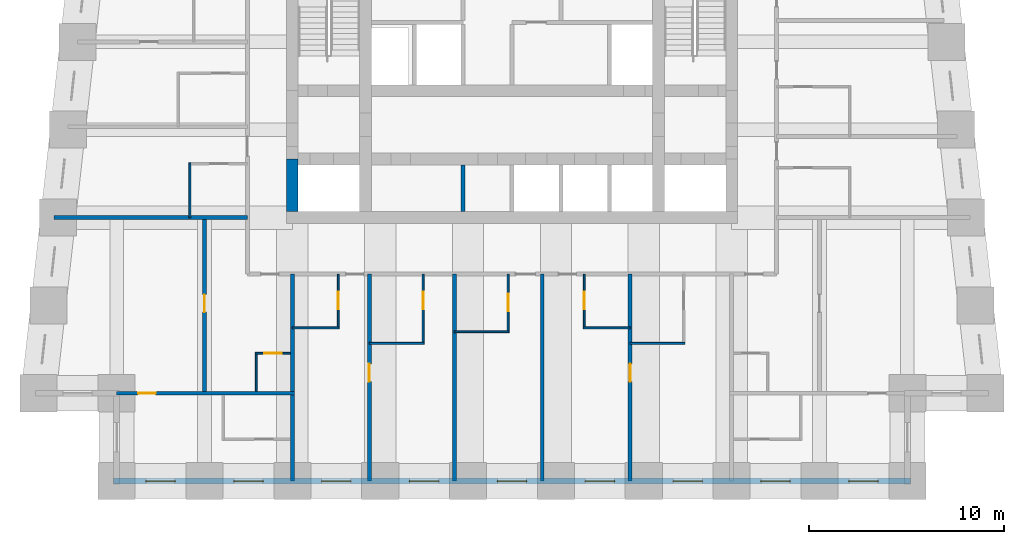
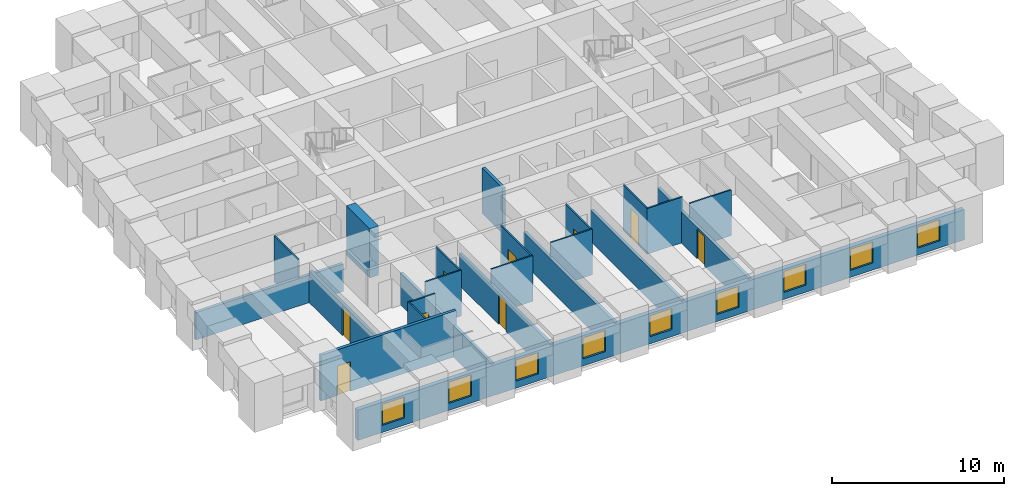
# One storey, part 2 of 8: 23 walls, 9 doors, 9 windows, 18 openings.
"""IFC4 building model written with IfcOpenShell, lengths in metres."""

from ifc_helpers import new_model, si_unit, direction, frame, frame_2d, origin, place, context, subcontext, project, spatial, rectangle, extrude, material, layer, layer_set, type_object, element, fill, save


model = new_model("IFC4")

# Units and contexts
model_context = context("Model", 3, precision=1e-05, world=origin(), true_north=direction((0.0, 1.0)))
body_context = subcontext(model_context, "Body", "Model", "MODEL_VIEW")
ifc_project = project(units=[si_unit("LENGTHUNIT", "METRE"), si_unit("AREAUNIT", "SQUARE_METRE"), si_unit("VOLUMEUNIT", "CUBIC_METRE"), si_unit("PLANEANGLEUNIT", "RADIAN"), si_unit("MASSUNIT", "GRAM", prefix="KILO")], contexts=[model_context])

# Site, building, storey
site_placement = place(None, origin())
site = spatial("IfcSite", under=ifc_project, at=site_placement, CompositionType="ELEMENT")
building_placement = place(site_placement, origin())
building = spatial("IfcBuilding", under=site, at=building_placement, Name="Kilele Tower Hotel", CompositionType="ELEMENT")
storey_placement = place(building_placement, frame((0.0, 0.0, 110.89990234375)))
storey = spatial("IfcBuildingStorey", under=building, at=storey_placement, Name="L28", CompositionType="ELEMENT", Elevation=110.89990234375)

# Wall
ifc_material_1 = material(Name="Moisture-resistant board")
ifc_layer_1 = layer(ifc_material_1, 0.10009765625)
ifc_layer_set_1 = layer_set([ifc_layer_1], Name="Moisture-resistant board")
wall_type_1 = type_object("IfcWallType", Name="Bathroom partition 100", PredefinedType="PLUMBINGWALL", material=ifc_layer_set_1)
wall_1_placement = place(storey_placement, frame((13.5, 7.85009765625, 0.0), z_axis=(0.0, 0.0, 1.0), x_axis=(1.0, 0.0, 0.0)))
element("IfcWall", 1, at=wall_1_placement, inside=storey, type_object=wall_type_1, Name="Bathroom partition 100 L28", PredefinedType="PLUMBINGWALL", context=body_context, shape_type="SweptSolid", body=[
    extrude(rectangle(XDim=2.39990234375, YDim=0.10009765625, at=frame_2d((1.199951171875, 0.0))), origin(), (0.0, 0.0, 1.0), 3.25),
])

# Wall, opening, door
wall_2_placement = place(storey_placement, frame((15.85009765625, 10.60009765625, 0.0), z_axis=(0.0, 0.0, 1.0), x_axis=(0.0, -1.0, 0.0)))
wall_2 = element("IfcWall", 2, at=wall_2_placement, inside=storey, type_object=wall_type_1, Name="Bathroom partition 100 L28", PredefinedType="PLUMBINGWALL", context=body_context, shape_type="SweptSolid", body=[
    extrude(rectangle(XDim=2.800048828125, YDim=0.10009765625, at=frame_2d((1.39990234375, 0.0))), origin(), (0.0, 0.0, 1.0), 3.25),
])
opening_1_placement = place(wall_2_placement, frame((0.89990234375, 0.0, 0.0)))
opening_1 = element("IfcOpeningElement", 3, at=opening_1_placement, cuts=wall_2, Name="Opening D2A", PredefinedType="OPENING", context=body_context, shape_type="SweptSolid", body=[
    extrude(rectangle(XDim=0.89990234375, YDim=2.10009765625, at=frame_2d((0.449951171875, 1.050048828125))), frame((0.0, 0.06005859375, 0.0), z_axis=(0.0, -1.0, 0.0), x_axis=(1.0, 0.0, 0.0)), (0.0, 0.0, 1.0), 0.1201171875),
])
ifc_material_2 = material(Name="Timber door leaf in hardwood frame", Category="wood")
door_type_1 = type_object("IfcDoorType", Name="Bathroom door 900", OperationType="SINGLE_SWING_LEFT", PredefinedType="DOOR", material=ifc_material_2)
door_1_placement = place(opening_1_placement, origin())
door_1 = element("IfcDoor", 4, at=door_1_placement, inside=storey, type_object=door_type_1, Name="Bathroom door 2801B", OperationType="SINGLE_SWING_LEFT", OverallHeight=2.10009765625, OverallWidth=0.89990234375, PredefinedType="DOOR", context=body_context, shape_type="SweptSolid", body=[
    extrude(rectangle(XDim=0.89990234375, YDim=2.10009765625, at=frame_2d((0.449951171875, 1.050048828125))), frame((0.0, 0.02490234375, 0.0), z_axis=(0.0, -1.0, 0.0), x_axis=(1.0, 0.0, 0.0)), (0.0, 0.0, 1.0), 0.050048828125),
])
fill(opening_1, door_1)

# Wall
wall_3_placement = place(storey_placement, frame((17.449951171875, 7.050048828125, 0.0), z_axis=(0.0, 0.0, 1.0), x_axis=(1.0, 0.0, 0.0)))
element("IfcWall", 5, at=wall_3_placement, inside=storey, type_object=wall_type_1, Name="Bathroom partition 100 L28", PredefinedType="PLUMBINGWALL", context=body_context, shape_type="SweptSolid", body=[
    extrude(rectangle(XDim=2.800048828125, YDim=0.10009765625, at=frame_2d((1.39990234375, 0.0))), origin(), (0.0, 0.0, 1.0), 3.25),
])

# Wall, opening, door
wall_4_placement = place(storey_placement, frame((20.199951171875, 10.60009765625, 0.0), z_axis=(0.0, 0.0, 1.0), x_axis=(0.0, -1.0, 0.0)))
wall_4 = element("IfcWall", 6, at=wall_4_placement, inside=storey, type_object=wall_type_1, Name="Bathroom partition 100 L28", PredefinedType="PLUMBINGWALL", context=body_context, shape_type="SweptSolid", body=[
    extrude(rectangle(XDim=3.60009765625, YDim=0.10009765625, at=frame_2d((1.800048828125, 0.0))), origin(), (0.0, 0.0, 1.0), 3.25),
])
opening_2_placement = place(wall_4_placement, frame((0.89990234375, 0.0, 0.0)))
opening_2 = element("IfcOpeningElement", 7, at=opening_2_placement, cuts=wall_4, Name="Opening D2A", PredefinedType="OPENING", context=body_context, shape_type="SweptSolid", body=[
    extrude(rectangle(XDim=0.89990234375, YDim=2.10009765625, at=frame_2d((0.449951171875, 1.050048828125))), frame((0.0, 0.06005859375, 0.0), z_axis=(0.0, -1.0, 0.0), x_axis=(1.0, 0.0, 0.0)), (0.0, 0.0, 1.0), 0.1201171875),
])
door_2_placement = place(opening_2_placement, origin())
door_2 = element("IfcDoor", 8, at=door_2_placement, inside=storey, type_object=door_type_1, Name="Bathroom door 2802B", OperationType="SINGLE_SWING_LEFT", OverallHeight=2.10009765625, OverallWidth=0.89990234375, PredefinedType="DOOR", context=body_context, shape_type="SweptSolid", body=[
    extrude(rectangle(XDim=0.89990234375, YDim=2.10009765625, at=frame_2d((0.449951171875, 1.050048828125))), frame((0.0, 0.02490234375, 0.0), z_axis=(0.0, -1.0, 0.0), x_axis=(1.0, 0.0, 0.0)), (0.0, 0.0, 1.0), 0.050048828125),
])
fill(opening_2, door_2)

# Wall
wall_5_placement = place(storey_placement, frame((21.800048828125, 7.64990234375, 0.0), z_axis=(0.0, 0.0, 1.0), x_axis=(1.0, 0.0, 0.0)))
element("IfcWall", 9, at=wall_5_placement, inside=storey, type_object=wall_type_1, Name="Bathroom partition 100 L28", PredefinedType="PLUMBINGWALL", context=body_context, shape_type="SweptSolid", body=[
    extrude(rectangle(XDim=2.800048828125, YDim=0.10009765625, at=frame_2d((1.39990234375, 0.0))), origin(), (0.0, 0.0, 1.0), 3.25),
])

# Wall, opening, door
wall_6_placement = place(storey_placement, frame((24.550048828125, 10.60009765625, 0.0), z_axis=(0.0, 0.0, 1.0), x_axis=(0.0, -1.0, 0.0)))
wall_6 = element("IfcWall", 10, at=wall_6_placement, inside=storey, type_object=wall_type_1, Name="Bathroom partition 100 L28", PredefinedType="PLUMBINGWALL", context=body_context, shape_type="SweptSolid", body=[
    extrude(rectangle(XDim=3.0, YDim=0.10009765625, at=frame_2d((1.5, 0.0))), origin(), (0.0, 0.0, 1.0), 3.25),
])
opening_3_placement = place(wall_6_placement, frame((1.0, 0.0, 0.0)))
opening_3 = element("IfcOpeningElement", 11, at=opening_3_placement, cuts=wall_6, Name="Opening D2A", PredefinedType="OPENING", context=body_context, shape_type="SweptSolid", body=[
    extrude(rectangle(XDim=0.89990234375, YDim=2.10009765625, at=frame_2d((0.449951171875, 1.050048828125))), frame((0.0, 0.06005859375, 0.0), z_axis=(0.0, -1.0, 0.0), x_axis=(1.0, 0.0, 0.0)), (0.0, 0.0, 1.0), 0.1201171875),
])
door_3_placement = place(opening_3_placement, origin())
door_3 = element("IfcDoor", 12, at=door_3_placement, inside=storey, type_object=door_type_1, Name="Bathroom door 2803B", OperationType="SINGLE_SWING_LEFT", OverallHeight=2.10009765625, OverallWidth=0.89990234375, PredefinedType="DOOR", context=body_context, shape_type="SweptSolid", body=[
    extrude(rectangle(XDim=0.89990234375, YDim=2.10009765625, at=frame_2d((0.449951171875, 1.050048828125))), frame((0.0, 0.02490234375, 0.0), z_axis=(0.0, -1.0, 0.0), x_axis=(1.0, 0.0, 0.0)), (0.0, 0.0, 1.0), 0.050048828125),
])
fill(opening_3, door_3)

# Wall
wall_7_placement = place(storey_placement, frame((28.39990234375, 7.85009765625, 0.0), z_axis=(0.0, 0.0, 1.0), x_axis=(1.0, 0.0, 0.0)))
element("IfcWall", 13, at=wall_7_placement, inside=storey, type_object=wall_type_1, Name="Bathroom partition 100 L28", PredefinedType="PLUMBINGWALL", context=body_context, shape_type="SweptSolid", body=[
    extrude(rectangle(XDim=2.400146484375, YDim=0.10009765625, at=frame_2d((1.2001953125, 0.0))), origin(), (0.0, 0.0, 1.0), 3.25),
])

# Wall, opening, door
wall_8_placement = place(storey_placement, frame((28.449951171875, 10.60009765625, 0.0), z_axis=(0.0, 0.0, 1.0), x_axis=(0.0, -1.0, 0.0)))
wall_8 = element("IfcWall", 14, at=wall_8_placement, inside=storey, type_object=wall_type_1, Name="Bathroom partition 100 L28", PredefinedType="PLUMBINGWALL", context=body_context, shape_type="SweptSolid", body=[
    extrude(rectangle(XDim=2.800048828125, YDim=0.10009765625, at=frame_2d((1.39990234375, 0.0))), origin(), (0.0, 0.0, 1.0), 3.25),
])
opening_4_placement = place(wall_8_placement, frame((1.7998046875, 0.0, 0.0), z_axis=(0.0, 0.0, 1.0), x_axis=(-1.0, 0.0, 0.0)))
opening_4 = element("IfcOpeningElement", 15, at=opening_4_placement, cuts=wall_8, Name="Opening D2A", PredefinedType="OPENING", context=body_context, shape_type="SweptSolid", body=[
    extrude(rectangle(XDim=0.89990234375, YDim=2.10009765625, at=frame_2d((0.449951171875, 1.050048828125))), frame((0.0, 0.06005859375, 0.0), z_axis=(0.0, -1.0, 0.0), x_axis=(1.0, 0.0, 0.0)), (0.0, 0.0, 1.0), 0.1201171875),
])
door_4_placement = place(opening_4_placement, origin())
door_4 = element("IfcDoor", 16, at=door_4_placement, inside=storey, type_object=door_type_1, Name="Bathroom door 2804B", OperationType="SINGLE_SWING_RIGHT", OverallHeight=2.10009765625, OverallWidth=0.89990234375, PredefinedType="DOOR", context=body_context, shape_type="SweptSolid", body=[
    extrude(rectangle(XDim=0.89990234375, YDim=2.10009765625, at=frame_2d((0.449951171875, 1.050048828125))), frame((0.0, 0.02490234375, 0.0), z_axis=(0.0, -1.0, 0.0), x_axis=(1.0, 0.0, 0.0)), (0.0, 0.0, 1.0), 0.050048828125),
])
fill(opening_4, door_4)

# Walls
for number, where, z_axis, x_axis, name in (
    (17, (30.800048828125, 7.050048828125, 0.0), (0.0, 0.0, 1.0), (1.0, 0.0, 0.0), "Bathroom partition 100 L28"),
    (18, (8.25, 13.5, 0.0), (0.0, 0.0, 1.0), (0.0, 1.0, 0.0), "Bathroom partition 100 L28"),
):
    element("IfcWall", number, at=place(storey_placement, frame(where, z_axis=z_axis, x_axis=x_axis)), inside=storey, type_object=wall_type_1, Name=name, PredefinedType="PLUMBINGWALL", context=body_context, shape_type="SweptSolid", body=[
        extrude(rectangle(XDim=2.800048828125, YDim=0.10009765625, at=frame_2d((1.39990234375, 0.0))), origin(), (0.0, 0.0, 1.0), 3.25),
    ])
wall_9_placement = place(storey_placement, frame((11.64990234375, 4.60009765625, 0.0), z_axis=(0.0, 0.0, 1.0), x_axis=(0.0, 1.0, 0.0)))
element("IfcWall", 19, at=wall_9_placement, inside=storey, type_object=wall_type_1, Name="Bathroom partition 100 L28", PredefinedType="PLUMBINGWALL", context=body_context, shape_type="SweptSolid", body=[
    extrude(rectangle(XDim=2.0, YDim=0.10009765625, at=frame_2d((1.0, 0.0))), origin(), (0.0, 0.0, 1.0), 3.25),
])

# Wall, opening, door
wall_10_placement = place(storey_placement, frame((13.39990234375, 6.550048828125, 0.0), z_axis=(0.0, 0.0, 1.0), x_axis=(-1.0, 0.0, 0.0)))
wall_10 = element("IfcWall", 20, at=wall_10_placement, inside=storey, type_object=wall_type_1, Name="Bathroom partition 100 L28", PredefinedType="PLUMBINGWALL", context=body_context, shape_type="SweptSolid", body=[
    extrude(rectangle(XDim=1.7998046875, YDim=0.10009765625, at=frame_2d((0.89990234375, 0.0))), origin(), (0.0, 0.0, 1.0), 3.25),
])
opening_5_placement = place(wall_10_placement, frame((1.349853515625, 0.0, 0.0), z_axis=(0.0, 0.0, 1.0), x_axis=(-1.0, 0.0, 0.0)))
opening_5 = element("IfcOpeningElement", 21, at=opening_5_placement, cuts=wall_10, Name="Opening D2A", PredefinedType="OPENING", context=body_context, shape_type="SweptSolid", body=[
    extrude(rectangle(XDim=0.89990234375, YDim=2.10009765625, at=frame_2d((0.449951171875, 1.050048828125))), frame((0.0, 0.06005859375, 0.0), z_axis=(0.0, -1.0, 0.0), x_axis=(1.0, 0.0, 0.0)), (0.0, 0.0, 1.0), 0.1201171875),
])
door_5_placement = place(opening_5_placement, origin())
door_5 = element("IfcDoor", 22, at=door_5_placement, inside=storey, type_object=door_type_1, Name="Bathroom door 2817P", OperationType="SINGLE_SWING_RIGHT", OverallHeight=2.10009765625, OverallWidth=0.89990234375, PredefinedType="DOOR", context=body_context, shape_type="SweptSolid", body=[
    extrude(rectangle(XDim=0.89990234375, YDim=2.10009765625, at=frame_2d((0.449951171875, 1.050048828125))), frame((0.0, 0.02490234375, 0.0), z_axis=(0.0, -1.0, 0.0), x_axis=(1.0, 0.0, 0.0)), (0.0, 0.0, 1.0), 0.050048828125),
])
fill(opening_5, door_5)

# Wall
ifc_material_3 = material(Name="Concrete C60/75", Category="concrete")
ifc_layer_2 = layer(ifc_material_3, 0.60009765625)
ifc_layer_set_2 = layer_set([ifc_layer_2], Name="Concrete C60/75")
wall_type_2 = type_object("IfcWallType", Name="Core wall 600 C60/75", PredefinedType="SHEAR", material=ifc_layer_set_2)
wall_11_placement = place(storey_placement, frame((13.5, 16.5, 0.0), z_axis=(0.0, 0.0, 1.0), x_axis=(0.0, -1.0, 0.0)))
element("IfcWall", 23, at=wall_11_placement, inside=storey, type_object=wall_type_2, Name="Core wall W3 L28", PredefinedType="SHEAR", context=body_context, shape_type="SweptSolid", body=[
    extrude(rectangle(XDim=2.699951171875, YDim=0.60009765625, at=frame_2d((1.35009765625, 0.0))), origin(), (0.0, 0.0, 1.0), 3.5),
])

# Wall, opening, door
ifc_material_4 = material(Name="Blockwork, plastered both sides", Category="masonry")
ifc_layer_3 = layer(ifc_material_4, 0.199951171875)
ifc_layer_set_3 = layer_set([ifc_layer_3], Name="Blockwork, plastered both sides")
wall_type_3 = type_object("IfcWallType", Name="Partition wall 200", PredefinedType="PARTITIONING", material=ifc_layer_set_3)
wall_12_placement = place(storey_placement, frame((9.0, 4.60009765625, 0.0), z_axis=(0.0, 0.0, 1.0), x_axis=(0.0, 1.0, 0.0)))
wall_12 = element("IfcWall", 24, at=wall_12_placement, inside=storey, type_object=wall_type_3, Name="Partition wall 200 L28", PredefinedType="PARTITIONING", context=body_context, shape_type="SweptSolid", body=[
    extrude(rectangle(XDim=8.7998046875, YDim=0.199951171875, at=frame_2d((4.39990234375, 0.0))), origin(), (0.0, 0.0, 1.0), 2.25),
])
opening_6_placement = place(wall_12_placement, frame((4.050048828125, 0.0, 0.0)))
opening_6 = element("IfcOpeningElement", 25, at=opening_6_placement, cuts=wall_12, Name="Opening D3", PredefinedType="OPENING", context=body_context, shape_type="SweptSolid", body=[
    extrude(rectangle(XDim=0.89990234375, YDim=2.10009765625, at=frame_2d((0.449951171875, 1.050048828125))), frame((0.0, 0.10986328125, 0.0), z_axis=(0.0, -1.0, 0.0), x_axis=(1.0, 0.0, 0.0)), (0.0, 0.0, 1.0), 0.219970703125),
])
ifc_material_5 = material(Name="Timber door leaf in hardwood frame", Category="wood")
door_type_2 = type_object("IfcDoorType", Name="Suite internal door 900", OperationType="SINGLE_SWING_LEFT", PredefinedType="DOOR", material=ifc_material_5)
door_6_placement = place(opening_6_placement, origin())
door_6 = element("IfcDoor", 26, at=door_6_placement, inside=storey, type_object=door_type_2, Name="Suite door 2818", OperationType="SINGLE_SWING_RIGHT", OverallHeight=2.10009765625, OverallWidth=0.89990234375, PredefinedType="DOOR", context=body_context, shape_type="SweptSolid", body=[
    extrude(rectangle(XDim=0.89990234375, YDim=2.10009765625, at=frame_2d((0.449951171875, 1.050048828125))), frame((0.0, 0.02490234375, 0.0), z_axis=(0.0, -1.0, 0.0), x_axis=(1.0, 0.0, 0.0)), (0.0, 0.0, 1.0), 0.050048828125),
])
fill(opening_6, door_6)

ifc_material_6 = material(Name="Blockwork, plastered both sides", Category="masonry")
ifc_layer_4 = layer(ifc_material_6, 0.199951171875)
ifc_layer_set_4 = layer_set([ifc_layer_4], Name="Blockwork, plastered both sides")
wall_type_4 = type_object("IfcWallType", Name="Party wall 200", PredefinedType="PARTITIONING", material=ifc_layer_set_4)
wall_13_placement = place(storey_placement, frame((17.449951171875, 10.60009765625, 0.0), z_axis=(0.0, 0.0, 1.0), x_axis=(0.0, -1.0, 0.0)))
wall_13 = element("IfcWall", 27, at=wall_13_placement, inside=storey, type_object=wall_type_4, Name="Party wall 200 L28", PredefinedType="PARTITIONING", context=body_context, shape_type="SweptSolid", body=[
    extrude(rectangle(XDim=10.60009765625, YDim=0.199951171875, at=frame_2d((5.300048828125, 0.0))), origin(), (0.0, 0.0, 1.0), 2.25),
])
opening_7_placement = place(wall_13_placement, frame((4.60009765625, 0.0, 0.0)))
opening_7 = element("IfcOpeningElement", 28, at=opening_7_placement, cuts=wall_13, Name="Opening D3", PredefinedType="OPENING", context=body_context, shape_type="SweptSolid", body=[
    extrude(rectangle(XDim=0.89990234375, YDim=2.10009765625, at=frame_2d((0.449951171875, 1.050048828125))), frame((0.0, 0.10986328125, 0.0), z_axis=(0.0, -1.0, 0.0), x_axis=(1.0, 0.0, 0.0)), (0.0, 0.0, 1.0), 0.219970703125),
])
door_7_placement = place(opening_7_placement, origin())
door_7 = element("IfcDoor", 29, at=door_7_placement, inside=storey, type_object=door_type_2, Name="Suite door 2802", OperationType="SINGLE_SWING_LEFT", OverallHeight=2.10009765625, OverallWidth=0.89990234375, PredefinedType="DOOR", context=body_context, shape_type="SweptSolid", body=[
    extrude(rectangle(XDim=0.89990234375, YDim=2.10009765625, at=frame_2d((0.449951171875, 1.050048828125))), frame((0.0, 0.02490234375, 0.0), z_axis=(0.0, -1.0, 0.0), x_axis=(1.0, 0.0, 0.0)), (0.0, 0.0, 1.0), 0.050048828125),
])
fill(opening_7, door_7)

# Walls
for number, where, z_axis, x_axis, name in (
    (30, (21.800048828125, 10.60009765625, 0.0), (0.0, 0.0, 1.0), (0.0, -1.0, 0.0), "Party wall 200 L28"),
    (31, (26.300048828125, 10.60009765625, 0.0), (0.0, 0.0, 1.0), (0.0, -1.0, 0.0), "Party wall 200 L28"),
):
    element("IfcWall", number, at=place(storey_placement, frame(where, z_axis=z_axis, x_axis=x_axis)), inside=storey, type_object=wall_type_4, Name=name, PredefinedType="PARTITIONING", context=body_context, shape_type="SweptSolid", body=[
        extrude(rectangle(XDim=10.60009765625, YDim=0.199951171875, at=frame_2d((5.300048828125, 0.0))), origin(), (0.0, 0.0, 1.0), 2.25),
    ])

# Wall, opening, door
wall_14_placement = place(storey_placement, frame((30.800048828125, 10.60009765625, 0.0), z_axis=(0.0, 0.0, 1.0), x_axis=(0.0, -1.0, 0.0)))
wall_14 = element("IfcWall", 32, at=wall_14_placement, inside=storey, type_object=wall_type_4, Name="Party wall 200 L28", PredefinedType="PARTITIONING", context=body_context, shape_type="SweptSolid", body=[
    extrude(rectangle(XDim=10.60009765625, YDim=0.199951171875, at=frame_2d((5.300048828125, 0.0))), origin(), (0.0, 0.0, 1.0), 2.25),
])
opening_8_placement = place(wall_14_placement, frame((4.60009765625, 0.0, 0.0)))
opening_8 = element("IfcOpeningElement", 33, at=opening_8_placement, cuts=wall_14, Name="Opening D3", PredefinedType="OPENING", context=body_context, shape_type="SweptSolid", body=[
    extrude(rectangle(XDim=0.89990234375, YDim=2.10009765625, at=frame_2d((0.449951171875, 1.050048828125))), frame((0.0, 0.10986328125, 0.0), z_axis=(0.0, -1.0, 0.0), x_axis=(1.0, 0.0, 0.0)), (0.0, 0.0, 1.0), 0.219970703125),
])
door_8_placement = place(opening_8_placement, origin())
door_8 = element("IfcDoor", 34, at=door_8_placement, inside=storey, type_object=door_type_2, Name="Suite door 2805", OperationType="SINGLE_SWING_LEFT", OverallHeight=2.10009765625, OverallWidth=0.89990234375, PredefinedType="DOOR", context=body_context, shape_type="SweptSolid", body=[
    extrude(rectangle(XDim=0.89990234375, YDim=2.10009765625, at=frame_2d((0.449951171875, 1.050048828125))), frame((0.0, 0.02490234375, 0.0), z_axis=(0.0, -1.0, 0.0), x_axis=(1.0, 0.0, 0.0)), (0.0, 0.0, 1.0), 0.050048828125),
])
fill(opening_8, door_8)

# Walls
wall_15_placement = place(storey_placement, frame((11.199951171875, 13.5, 0.0), z_axis=(0.0, 0.0, 1.0), x_axis=(-1.0, 0.0, 0.0)))
element("IfcWall", 35, at=wall_15_placement, inside=storey, type_object=wall_type_4, Name="Party wall 200 L28", PredefinedType="PARTITIONING", context=body_context, shape_type="SweptSolid", body=[
    extrude(rectangle(XDim=9.921142578125, YDim=0.199951171875, at=frame_2d((4.96044921875, 0.0))), origin(), (0.0, 0.0, 1.0), 1.9501953125),
])
wall_16_placement = place(storey_placement, frame((13.5, 10.60009765625, 0.0), z_axis=(0.0, 0.0, 1.0), x_axis=(0.0, -1.0, 0.0)))
element("IfcWall", 36, at=wall_16_placement, inside=storey, type_object=wall_type_4, Name="Party wall 200 L28", PredefinedType="PARTITIONING", context=body_context, shape_type="SweptSolid", body=[
    extrude(rectangle(XDim=10.60009765625, YDim=0.199951171875, at=frame_2d((5.300048828125, 0.0))), origin(), (0.0, 0.0, 1.0), 2.25),
])

# Wall, opening, door
wall_17_placement = place(storey_placement, frame((13.60009765625, 4.5, 0.0), z_axis=(0.0, 0.0, 1.0), x_axis=(-1.0, 0.0, 0.0)))
wall_17 = element("IfcWall", 37, at=wall_17_placement, inside=storey, type_object=wall_type_4, Name="Party wall 200 L28", PredefinedType="PARTITIONING", context=body_context, shape_type="SweptSolid", body=[
    extrude(rectangle(XDim=9.10009765625, YDim=0.199951171875, at=frame_2d((4.550048828125, 0.0))), origin(), (0.0, 0.0, 1.0), 3.25),
])
opening_9_placement = place(wall_17_placement, frame((7.10009765625, 0.0, 0.0)))
opening_9 = element("IfcOpeningElement", 38, at=opening_9_placement, cuts=wall_17, Name="Opening D3", PredefinedType="OPENING", context=body_context, shape_type="SweptSolid", body=[
    extrude(rectangle(XDim=0.89990234375, YDim=2.10009765625, at=frame_2d((0.449951171875, 1.050048828125))), frame((0.0, 0.10986328125, 0.0), z_axis=(0.0, -1.0, 0.0), x_axis=(1.0, 0.0, 0.0)), (0.0, 0.0, 1.0), 0.219970703125),
])
door_9_placement = place(opening_9_placement, origin())
door_9 = element("IfcDoor", 39, at=door_9_placement, inside=storey, type_object=door_type_2, Name="Suite door 2819", OperationType="SINGLE_SWING_RIGHT", OverallHeight=2.10009765625, OverallWidth=0.89990234375, PredefinedType="DOOR", context=body_context, shape_type="SweptSolid", body=[
    extrude(rectangle(XDim=0.89990234375, YDim=2.10009765625, at=frame_2d((0.449951171875, 1.050048828125))), frame((0.0, 0.02490234375, 0.0), z_axis=(0.0, -1.0, 0.0), x_axis=(1.0, 0.0, 0.0)), (0.0, 0.0, 1.0), 0.050048828125),
])
fill(opening_9, door_9)

# Wall, openings, windows
ifc_material_7 = material(Name="Concrete C40/50 precast", Category="concrete")
ifc_layer_5 = layer(ifc_material_7, 0.260009765625, Name="Precast backing", Category="LoadBearing")
ifc_material_8 = material(Name="Reconstituted stone finish", Category="masonry")
ifc_layer_6 = layer(ifc_material_8, 0.0400390625, Name="Face mix", Category="Finish")
ifc_layer_set_5 = layer_set([ifc_layer_5, ifc_layer_6], Name="Precast concrete C40/50, reconstituted stone finish")
wall_type_5 = type_object("IfcWallType", Name="Precast stone facade wall 300", PredefinedType="STANDARD", material=ifc_layer_set_5)
wall_18_placement = place(storey_placement, frame((4.35009765625, 0.0, 0.0), z_axis=(0.0, 0.0, 1.0), x_axis=(1.0, 0.0, 0.0)))
wall_18 = element("IfcWall", 40, at=wall_18_placement, inside=storey, type_object=wall_type_5, Name="Facade wall L28 edge 3", PredefinedType="STANDARD", context=body_context, shape_type="SweptSolid", body=[
    extrude(rectangle(XDim=40.7998046875, YDim=0.300048828125, at=frame_2d((20.39990234375, 0.0))), origin(), (0.0, 0.0, 1.0), 2.150146484375),
])
opening_10_placement = place(wall_18_placement, frame((1.64990234375, 0.0, 0.5)))
opening_10 = element("IfcOpeningElement", 41, at=opening_10_placement, cuts=wall_18, Name="Opening W2", PredefinedType="OPENING", context=body_context, shape_type="SweptSolid", body=[
    extrude(rectangle(XDim=1.5, YDim=1.5, at=frame_2d((0.75, 0.75))), frame((0.0, 0.159912109375, 0.0), z_axis=(0.0, -1.0, 0.0), x_axis=(1.0, 0.0, 0.0)), (0.0, 0.0, 1.0), 0.320068359375),
])
opening_11_placement = place(wall_18_placement, frame((6.14990234375, 0.0, 0.5)))
opening_11 = element("IfcOpeningElement", 42, at=opening_11_placement, cuts=wall_18, Name="Opening W2", PredefinedType="OPENING", context=body_context, shape_type="SweptSolid", body=[
    extrude(rectangle(XDim=1.5, YDim=1.5, at=frame_2d((0.75, 0.75))), frame((0.0, 0.159912109375, 0.0), z_axis=(0.0, -1.0, 0.0), x_axis=(1.0, 0.0, 0.0)), (0.0, 0.0, 1.0), 0.320068359375),
])
opening_12_placement = place(wall_18_placement, frame((10.64990234375, 0.0, 0.5)))
opening_12 = element("IfcOpeningElement", 43, at=opening_12_placement, cuts=wall_18, Name="Opening W2", PredefinedType="OPENING", context=body_context, shape_type="SweptSolid", body=[
    extrude(rectangle(XDim=1.5, YDim=1.5, at=frame_2d((0.75, 0.75))), frame((0.0, 0.159912109375, 0.0), z_axis=(0.0, -1.0, 0.0), x_axis=(1.0, 0.0, 0.0)), (0.0, 0.0, 1.0), 0.320068359375),
])
opening_13_placement = place(wall_18_placement, frame((15.14990234375, 0.0, 0.5)))
opening_13 = element("IfcOpeningElement", 44, at=opening_13_placement, cuts=wall_18, Name="Opening W2", PredefinedType="OPENING", context=body_context, shape_type="SweptSolid", body=[
    extrude(rectangle(XDim=1.5, YDim=1.5, at=frame_2d((0.75, 0.75))), frame((0.0, 0.159912109375, 0.0), z_axis=(0.0, -1.0, 0.0), x_axis=(1.0, 0.0, 0.0)), (0.0, 0.0, 1.0), 0.320068359375),
])
opening_14_placement = place(wall_18_placement, frame((19.64990234375, 0.0, 0.5)))
opening_14 = element("IfcOpeningElement", 45, at=opening_14_placement, cuts=wall_18, Name="Opening W2", PredefinedType="OPENING", context=body_context, shape_type="SweptSolid", body=[
    extrude(rectangle(XDim=1.5, YDim=1.5, at=frame_2d((0.75, 0.75))), frame((0.0, 0.159912109375, 0.0), z_axis=(0.0, -1.0, 0.0), x_axis=(1.0, 0.0, 0.0)), (0.0, 0.0, 1.0), 0.320068359375),
])
opening_15_placement = place(wall_18_placement, frame((24.14990234375, 0.0, 0.5)))
opening_15 = element("IfcOpeningElement", 46, at=opening_15_placement, cuts=wall_18, Name="Opening W2", PredefinedType="OPENING", context=body_context, shape_type="SweptSolid", body=[
    extrude(rectangle(XDim=1.5, YDim=1.5, at=frame_2d((0.75, 0.75))), frame((0.0, 0.159912109375, 0.0), z_axis=(0.0, -1.0, 0.0), x_axis=(1.0, 0.0, 0.0)), (0.0, 0.0, 1.0), 0.320068359375),
])
opening_16_placement = place(wall_18_placement, frame((28.64990234375, 0.0, 0.5)))
opening_16 = element("IfcOpeningElement", 47, at=opening_16_placement, cuts=wall_18, Name="Opening W2", PredefinedType="OPENING", context=body_context, shape_type="SweptSolid", body=[
    extrude(rectangle(XDim=1.5, YDim=1.5, at=frame_2d((0.75, 0.75))), frame((0.0, 0.159912109375, 0.0), z_axis=(0.0, -1.0, 0.0), x_axis=(1.0, 0.0, 0.0)), (0.0, 0.0, 1.0), 0.320068359375),
])
opening_17_placement = place(wall_18_placement, frame((33.14990234375, 0.0, 0.5)))
opening_17 = element("IfcOpeningElement", 48, at=opening_17_placement, cuts=wall_18, Name="Opening W2", PredefinedType="OPENING", context=body_context, shape_type="SweptSolid", body=[
    extrude(rectangle(XDim=1.5, YDim=1.5, at=frame_2d((0.75, 0.75))), frame((0.0, 0.159912109375, 0.0), z_axis=(0.0, -1.0, 0.0), x_axis=(1.0, 0.0, 0.0)), (0.0, 0.0, 1.0), 0.320068359375),
])
opening_18_placement = place(wall_18_placement, frame((37.64990234375, 0.0, 0.5)))
opening_18 = element("IfcOpeningElement", 49, at=opening_18_placement, cuts=wall_18, Name="Opening W2", PredefinedType="OPENING", context=body_context, shape_type="SweptSolid", body=[
    extrude(rectangle(XDim=1.5, YDim=1.5, at=frame_2d((0.75, 0.75))), frame((0.0, 0.159912109375, 0.0), z_axis=(0.0, -1.0, 0.0), x_axis=(1.0, 0.0, 0.0)), (0.0, 0.0, 1.0), 0.320068359375),
])
ifc_material_9 = material(Name="Aluminium frame, clear double glazing", Category="aluminium")
window_type = type_object("IfcWindowType", Name="Window W2 1500 x 1500", PartitioningType="SINGLE_PANEL", PredefinedType="WINDOW", material=ifc_material_9)
window_1_placement = place(opening_10_placement, origin())
window_1 = element("IfcWindow", 50, at=window_1_placement, inside=storey, type_object=window_type, Name="Window L28", OverallHeight=1.5, OverallWidth=1.5, PartitioningType="SINGLE_PANEL", PredefinedType="WINDOW", context=body_context, shape_type="SweptSolid", body=[
    extrude(rectangle(XDim=1.5, YDim=1.5, at=frame_2d((0.75, 0.75))), frame((0.0, 0.030029296875, 0.0), z_axis=(0.0, -1.0, 0.0), x_axis=(1.0, 0.0, 0.0)), (0.0, 0.0, 1.0), 0.06005859375),
])
fill(opening_10, window_1)
window_2_placement = place(opening_11_placement, origin())
window_2 = element("IfcWindow", 51, at=window_2_placement, inside=storey, type_object=window_type, Name="Window L28", OverallHeight=1.5, OverallWidth=1.5, PartitioningType="SINGLE_PANEL", PredefinedType="WINDOW", context=body_context, shape_type="SweptSolid", body=[
    extrude(rectangle(XDim=1.5, YDim=1.5, at=frame_2d((0.75, 0.75))), frame((0.0, 0.030029296875, 0.0), z_axis=(0.0, -1.0, 0.0), x_axis=(1.0, 0.0, 0.0)), (0.0, 0.0, 1.0), 0.06005859375),
])
fill(opening_11, window_2)
window_3_placement = place(opening_12_placement, origin())
window_3 = element("IfcWindow", 52, at=window_3_placement, inside=storey, type_object=window_type, Name="Window L28", OverallHeight=1.5, OverallWidth=1.5, PartitioningType="SINGLE_PANEL", PredefinedType="WINDOW", context=body_context, shape_type="SweptSolid", body=[
    extrude(rectangle(XDim=1.5, YDim=1.5, at=frame_2d((0.75, 0.75))), frame((0.0, 0.030029296875, 0.0), z_axis=(0.0, -1.0, 0.0), x_axis=(1.0, 0.0, 0.0)), (0.0, 0.0, 1.0), 0.06005859375),
])
fill(opening_12, window_3)
window_4_placement = place(opening_13_placement, origin())
window_4 = element("IfcWindow", 53, at=window_4_placement, inside=storey, type_object=window_type, Name="Window L28", OverallHeight=1.5, OverallWidth=1.5, PartitioningType="SINGLE_PANEL", PredefinedType="WINDOW", context=body_context, shape_type="SweptSolid", body=[
    extrude(rectangle(XDim=1.5, YDim=1.5, at=frame_2d((0.75, 0.75))), frame((0.0, 0.030029296875, 0.0), z_axis=(0.0, -1.0, 0.0), x_axis=(1.0, 0.0, 0.0)), (0.0, 0.0, 1.0), 0.06005859375),
])
fill(opening_13, window_4)
window_5_placement = place(opening_14_placement, origin())
window_5 = element("IfcWindow", 54, at=window_5_placement, inside=storey, type_object=window_type, Name="Window L28", OverallHeight=1.5, OverallWidth=1.5, PartitioningType="SINGLE_PANEL", PredefinedType="WINDOW", context=body_context, shape_type="SweptSolid", body=[
    extrude(rectangle(XDim=1.5, YDim=1.5, at=frame_2d((0.75, 0.75))), frame((0.0, 0.030029296875, 0.0), z_axis=(0.0, -1.0, 0.0), x_axis=(1.0, 0.0, 0.0)), (0.0, 0.0, 1.0), 0.06005859375),
])
fill(opening_14, window_5)
window_6_placement = place(opening_15_placement, origin())
window_6 = element("IfcWindow", 55, at=window_6_placement, inside=storey, type_object=window_type, Name="Window L28", OverallHeight=1.5, OverallWidth=1.5, PartitioningType="SINGLE_PANEL", PredefinedType="WINDOW", context=body_context, shape_type="SweptSolid", body=[
    extrude(rectangle(XDim=1.5, YDim=1.5, at=frame_2d((0.75, 0.75))), frame((0.0, 0.030029296875, 0.0), z_axis=(0.0, -1.0, 0.0), x_axis=(1.0, 0.0, 0.0)), (0.0, 0.0, 1.0), 0.06005859375),
])
fill(opening_15, window_6)
window_7_placement = place(opening_16_placement, origin())
window_7 = element("IfcWindow", 56, at=window_7_placement, inside=storey, type_object=window_type, Name="Window L28", OverallHeight=1.5, OverallWidth=1.5, PartitioningType="SINGLE_PANEL", PredefinedType="WINDOW", context=body_context, shape_type="SweptSolid", body=[
    extrude(rectangle(XDim=1.5, YDim=1.5, at=frame_2d((0.75, 0.75))), frame((0.0, 0.030029296875, 0.0), z_axis=(0.0, -1.0, 0.0), x_axis=(1.0, 0.0, 0.0)), (0.0, 0.0, 1.0), 0.06005859375),
])
fill(opening_16, window_7)
window_8_placement = place(opening_17_placement, origin())
window_8 = element("IfcWindow", 57, at=window_8_placement, inside=storey, type_object=window_type, Name="Window L28", OverallHeight=1.5, OverallWidth=1.5, PartitioningType="SINGLE_PANEL", PredefinedType="WINDOW", context=body_context, shape_type="SweptSolid", body=[
    extrude(rectangle(XDim=1.5, YDim=1.5, at=frame_2d((0.75, 0.75))), frame((0.0, 0.030029296875, 0.0), z_axis=(0.0, -1.0, 0.0), x_axis=(1.0, 0.0, 0.0)), (0.0, 0.0, 1.0), 0.06005859375),
])
fill(opening_17, window_8)
window_9_placement = place(opening_18_placement, origin())
window_9 = element("IfcWindow", 58, at=window_9_placement, inside=storey, type_object=window_type, Name="Window L28", OverallHeight=1.5, OverallWidth=1.5, PartitioningType="SINGLE_PANEL", PredefinedType="WINDOW", context=body_context, shape_type="SweptSolid", body=[
    extrude(rectangle(XDim=1.5, YDim=1.5, at=frame_2d((0.75, 0.75))), frame((0.0, 0.030029296875, 0.0), z_axis=(0.0, -1.0, 0.0), x_axis=(1.0, 0.0, 0.0)), (0.0, 0.0, 1.0), 0.06005859375),
])
fill(opening_18, window_9)

# Wall
ifc_material_10 = material(Name="Blockwork, fire-rated", Category="masonry")
ifc_layer_7 = layer(ifc_material_10, 0.199951171875)
ifc_layer_set_6 = layer_set([ifc_layer_7], Name="Blockwork, fire-rated")
wall_type_6 = type_object("IfcWallType", Name="Shaft wall 200", PredefinedType="PARTITIONING", material=ifc_layer_set_6)
wall_19_placement = place(storey_placement, frame((22.25, 13.800048828125, 0.0), z_axis=(0.0, 0.0, 1.0), x_axis=(0.0, 1.0, 0.0)))
element("IfcWall", 59, at=wall_19_placement, inside=storey, type_object=wall_type_6, Name="Shaft wall 200 L28", PredefinedType="PARTITIONING", context=body_context, shape_type="SweptSolid", body=[
    extrude(rectangle(XDim=2.39990234375, YDim=0.199951171875, at=frame_2d((1.199951171875, 0.0))), origin(), (0.0, 0.0, 1.0), 3.25),
])

save(model, "model.ifc")
